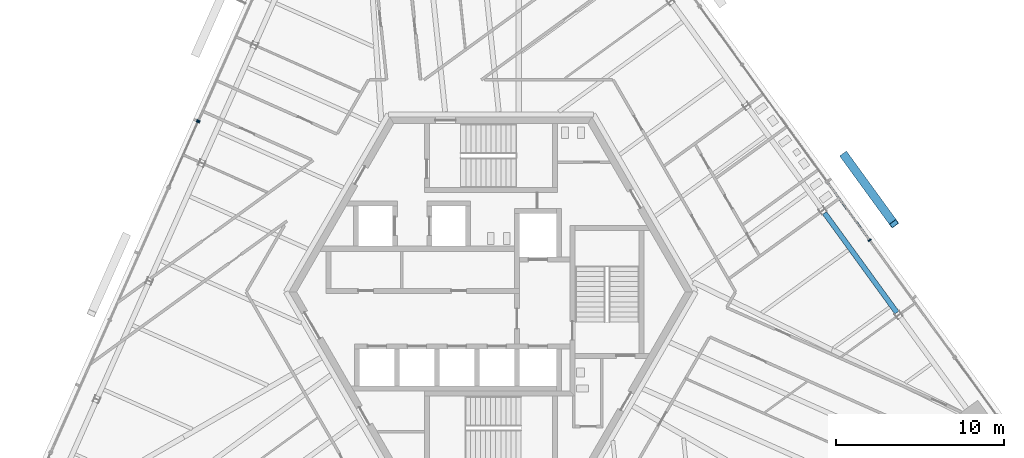
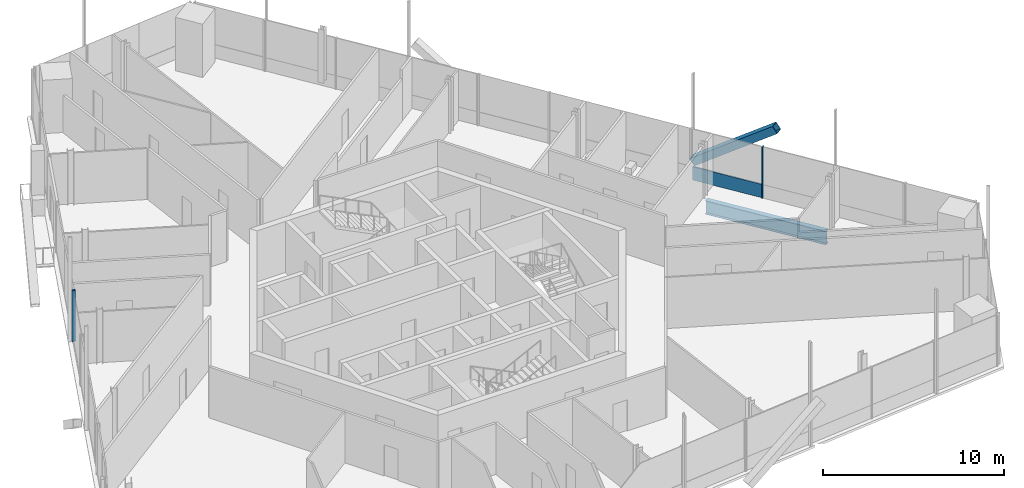
# One storey, part 7 of 21: 5 members, 1 beam, 3 elements without a shape of their own.
"""IFC4 building model written with IfcOpenShell, lengths in metres."""

from ifc_helpers import new_model, si_unit, direction, frame, origin, origin_2d, place, context, subcontext, project, spatial, rectangle, hollow_rectangle, i_section, extrude, source, transform, mapped, material, material_profile, profile_set, type_object, element, aggregate, save


model = new_model("IFC4")

# Units and contexts
model_context = context("Model", 3, precision=1e-05, world=origin(), true_north=direction((0.0, 1.0)))
body_context = subcontext(model_context, "Body", "Model", "MODEL_VIEW")
ifc_project = project(units=[si_unit("LENGTHUNIT", "METRE"), si_unit("AREAUNIT", "SQUARE_METRE"), si_unit("VOLUMEUNIT", "CUBIC_METRE"), si_unit("PLANEANGLEUNIT", "RADIAN"), si_unit("MASSUNIT", "GRAM", prefix="KILO")], contexts=[model_context])

# Site, building, storey
site_placement = place(None, origin())
site = spatial("IfcSite", under=ifc_project, at=site_placement, CompositionType="ELEMENT")
building_placement = place(site_placement, origin())
building = spatial("IfcBuilding", under=site, at=building_placement, Name="Triune Harvest Tower", CompositionType="ELEMENT")
storey_placement = place(building_placement, frame((0.0, 0.0, 241.300048828125)))
storey = spatial("IfcBuildingStorey", under=building, at=storey_placement, Name="L63", CompositionType="ELEMENT", Elevation=241.300048828125)

# Beam
ifc_material_1 = material(Name="Steel ASTM A992 Gr 50", Category="steel")
ifc_material_profile_1 = material_profile(ifc_material_1, i_section(OverallWidth=0.3046875, OverallDepth=0.914306640625, WebThickness=0.0166015625, FlangeThickness=0.02587890625, at=origin_2d()), Name="W36x160")
ifc_profile_set_1 = profile_set([ifc_material_profile_1], Name="Steel ASTM A992 Gr 50")
beam_type = type_object("IfcBeamType", Name="SB-1 Spandrel beam W36x160", PredefinedType="SPANDREL", material=ifc_profile_set_1)
shared_shape_1 = source(origin(), body_context, "Body", "SweptSolid", [
    extrude(i_section(OverallWidth=0.3046875, OverallDepth=0.914306640625, WebThickness=0.0166015625, FlangeThickness=0.02587890625, at=origin_2d()), origin(), (0.0, 0.0, 1.0), 7.31103515625),
])
beam_placement = place(storey_placement, frame((24.119384765625, -1.2333984375, -0.6171875), z_axis=(-0.587786436325, 0.809016134124, 0.0), x_axis=(-0.809016134124, -0.587786436325, 0.0)))
element("IfcBeam", 1, at=beam_placement, inside=storey, type_object=beam_type, Name="beam/L63/SB2", PredefinedType="SPANDREL", context=body_context, shape_type="MappedRepresentation", body=[
    mapped(shared_shape_1, transform((0.0, 0.0, 0.0), scale=1.0)),
])

# Member
ifc_material_2 = material(Name="Steel ASTM A572 Gr 50", Category="steel")
ifc_material_profile_2 = material_profile(ifc_material_2, hollow_rectangle(XDim=0.5, YDim=0.5, WallThickness=0.030029296875, at=origin_2d()), Name="Box 500x500x30")
ifc_profile_set_2 = profile_set([ifc_material_profile_2], Name="Steel ASTM A572 Gr 50")
member_type_1 = type_object("IfcMemberType", Name="BR-3 Brace Box 500x500x30", PredefinedType="BRACE", material=ifc_profile_set_2)
shared_shape_2 = source(origin(), body_context, "Body", "SweptSolid", [
    extrude(hollow_rectangle(XDim=0.5, YDim=0.5, WallThickness=0.030029296875, at=origin_2d()), origin(), (0.0, 0.0, 1.0), 6.1708984375),
])
member_1_placement = place(storey_placement, frame((21.004638671875, 8.098876953125, 0.0), z_axis=(0.477417993246, -0.657077818168, 0.583370208869), x_axis=(0.809003519911, 0.587803797854, 0.0)))
element("IfcMember", 2, at=member_1_placement, inside=storey, type_object=member_type_1, Name="brace/B6-F1/d2/7", PredefinedType="BRACE", context=body_context, shape_type="MappedRepresentation", body=[
    mapped(shared_shape_2, transform((0.0, 0.0, 0.0), scale=1.0)),
])

# Curtain wall, member
ifc_material_3 = material(Name="Aluminium bronze anodised", Category="aluminium")
curtain_wall_type_1 = type_object("IfcCurtainWallType", Name="CW-7 Tower stick curtain wall with insulated spandrel infill", PredefinedType="NOTDEFINED", material=ifc_material_3)
curtain_wall_1_placement = place(storey_placement, origin())
curtain_wall_1 = element("IfcCurtainWall", 3, at=curtain_wall_1_placement, inside=storey, type_object=curtain_wall_type_1, Name="CW-7 B6-F1 L63 run 1001")
ifc_material_4 = material(Name="Aluminium bronze anodised", Category="aluminium")
ifc_material_profile_3 = material_profile(ifc_material_4, rectangle(XDim=0.199951171875, YDim=0.074951171875, at=origin_2d()), Name="MU-1 mullion 75 x 200")
ifc_profile_set_3 = profile_set([ifc_material_profile_3], Name="Aluminium bronze anodised")
member_type_2 = type_object("IfcMemberType", Name="MU-1 mullion 75 x 200", PredefinedType="MULLION", material=ifc_profile_set_3)
shared_shape_3 = source(origin(), body_context, "Body", "SweptSolid", [
    extrude(rectangle(XDim=0.199951171875, YDim=0.074951171875, at=origin_2d()), origin(), (0.0, 0.0, 1.0), 3.43994140625),
])
member_2_placement = place(storey_placement, frame((22.501953125, 3.060791015625, 0.0), z_axis=(0.0, 0.0, 1.0), x_axis=(-0.809016568214, -0.587785838852, 0.0)))
member_2 = element("IfcMember", 4, at=member_2_placement, type_object=member_type_2, Name="CW-7 mullion B6-F1 1001.3", PredefinedType="MULLION", context=body_context, shape_type="MappedRepresentation", body=[
    mapped(shared_shape_3, transform((0.0, 0.0, 0.0), scale=1.0)),
])

ifc_material_5 = material(Name="Aluminium bronze anodised", Category="aluminium")
curtain_wall_type_2 = type_object("IfcCurtainWallType", Name="CW-10 Balcony window wall with insulated spandrel infill", PredefinedType="NOTDEFINED", material=ifc_material_5)
curtain_wall_2_placement = place(storey_placement, origin())
curtain_wall_2 = element("IfcCurtainWall", 5, at=curtain_wall_2_placement, inside=storey, type_object=curtain_wall_type_2, Name="CW-10 B6-F3 L63 run 2")
ifc_material_6 = material(Name="Aluminium bronze anodised", Category="aluminium")
ifc_material_profile_4 = material_profile(ifc_material_6, rectangle(XDim=0.199951171875, YDim=0.074951171875, at=origin_2d()), Name="MU-6 mullion 75 x 200")
ifc_profile_set_4 = profile_set([ifc_material_profile_4], Name="Aluminium bronze anodised")
member_type_3 = type_object("IfcMemberType", Name="MU-6 mullion 75 x 200", PredefinedType="MULLION", material=ifc_profile_set_4)
shared_shape_4 = source(origin(), body_context, "Body", "SweptSolid", [
    extrude(rectangle(XDim=0.199951171875, YDim=0.074951171875, at=origin_2d()), origin(), (0.0, 0.0, 1.0), 3.43994140625),
])
member_3_placement = place(storey_placement, frame((-17.371826171875, 10.16259765625, 0.0), z_axis=(0.0, 0.0, 1.0), x_axis=(0.913546375286, -0.406734582009, 0.0)))
member_3 = element("IfcMember", 6, at=member_3_placement, type_object=member_type_3, Name="CW-10 mullion B6-F3 2.3", PredefinedType="MULLION", context=body_context, shape_type="MappedRepresentation", body=[
    mapped(shared_shape_4, transform((0.0, 0.0, 0.0), scale=1.0)),
])
aggregate(curtain_wall_2, [member_3])

ifc_material_7 = material(Name="Aluminium bronze anodised", Category="aluminium")
curtain_wall_type_3 = type_object("IfcCurtainWallType", Name="CW-6 Balcony window wall", PredefinedType="NOTDEFINED", material=ifc_material_7)
curtain_wall_3_placement = place(storey_placement, origin())
curtain_wall_3 = element("IfcCurtainWall", 7, at=curtain_wall_3_placement, inside=storey, type_object=curtain_wall_type_3, Name="CW-6 B6-F3 L63 run 1002")
member_4_placement = place(storey_placement, frame((-17.40234375, 10.093994140625, 0.0), z_axis=(0.0, 0.0, 1.0), x_axis=(0.913540270066, -0.406748294364, 0.0)))
member_4 = element("IfcMember", 8, at=member_4_placement, type_object=member_type_3, Name="CW-6 mullion B6-F3 1002.1", PredefinedType="MULLION", context=body_context, shape_type="MappedRepresentation", body=[
    mapped(shared_shape_4, transform((0.0, 0.0, 0.0), scale=1.0)),
])
aggregate(curtain_wall_3, [member_4])

# Member
ifc_material_8 = material(Name="Aluminium bronze anodised", Category="aluminium")
ifc_material_profile_5 = material_profile(ifc_material_8, rectangle(XDim=0.090087890625, YDim=0.89990234375, at=origin_2d()), Name="TR-1 transom 90 x 900")
ifc_profile_set_5 = profile_set([ifc_material_profile_5], Name="Aluminium bronze anodised")
member_type_4 = type_object("IfcMemberType", Name="TR-1 transom 90 x 900", PredefinedType="USERDEFINED", material=ifc_profile_set_5)
shared_shape_5 = source(origin(), body_context, "Body", "SweptSolid", [
    extrude(rectangle(XDim=0.090087890625, YDim=0.89990234375, at=origin_2d()), origin(), (0.0, 0.0, 1.0), 4.1875),
])
member_5_placement = place(storey_placement, frame((22.479736328125, 3.091064453125, 0.449951171875), z_axis=(-0.587738290647, 0.809051111925, 0.0), x_axis=(-0.809051111925, -0.587738290647, 0.0)))
member_5 = element("IfcMember", 9, at=member_5_placement, type_object=member_type_4, Name="CW-7 transom B6-F1 1001.2", ObjectType="TRANSOM", PredefinedType="USERDEFINED", context=body_context, shape_type="MappedRepresentation", body=[
    mapped(shared_shape_5, transform((0.0, 0.0, 0.0), scale=1.0)),
])

aggregate(curtain_wall_1, [member_2, member_5])

save(model, "model.ifc")
